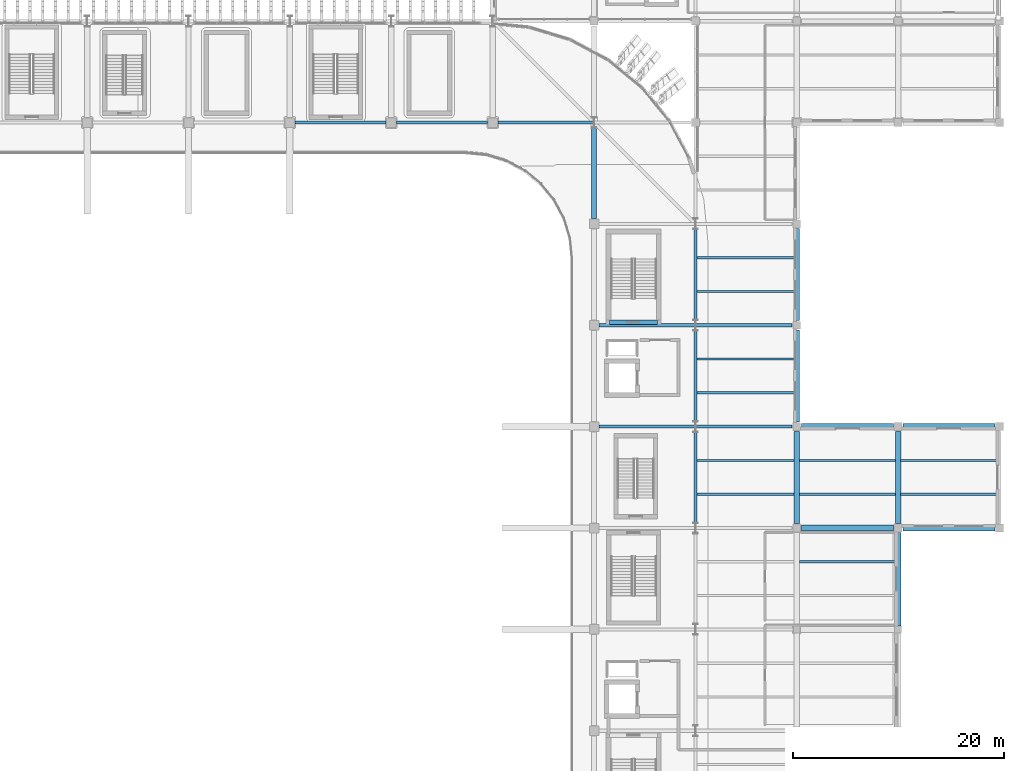
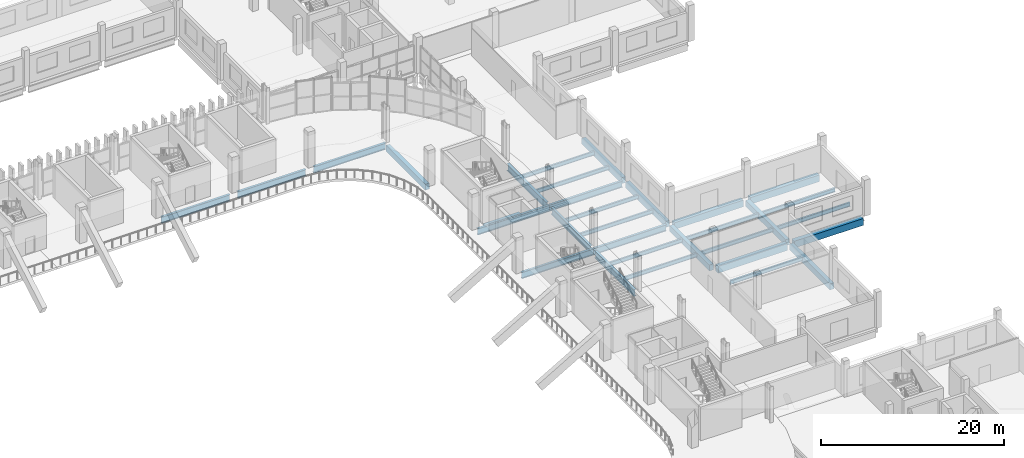
# One storey, part 33 of 100: 32 beams.
"""IFC4 building model written with IfcOpenShell, lengths in metres."""

from ifc_helpers import new_model, si_unit, direction, frame, origin, origin_2d, place, context, subcontext, project, spatial, rectangle, i_section, extrude, material, material_profile, profile_set, type_object, element, save


model = new_model("IFC4")

# Units and contexts
model_context = context("Model", 3, precision=1e-05, world=origin(), true_north=direction((0.0, 1.0)))
body_context = subcontext(model_context, "Body", "Model", "MODEL_VIEW")
ifc_project = project(units=[si_unit("LENGTHUNIT", "METRE"), si_unit("AREAUNIT", "SQUARE_METRE"), si_unit("VOLUMEUNIT", "CUBIC_METRE"), si_unit("PLANEANGLEUNIT", "RADIAN"), si_unit("MASSUNIT", "GRAM", prefix="KILO")], contexts=[model_context])

# Site, building, storey
site_placement = place(None, origin())
site = spatial("IfcSite", under=ifc_project, at=site_placement, CompositionType="ELEMENT")
building_placement = place(site_placement, origin())
building = spatial("IfcBuilding", under=site, at=building_placement, Name="Caelomonte Colonnade Arena", CompositionType="ELEMENT")
storey_placement = place(building_placement, origin())
storey = spatial("IfcBuildingStorey", under=building, at=storey_placement, Name="L00", CompositionType="ELEMENT", Elevation=0.0)

# Beams
ifc_material_1 = material(Name="Wide-flange steel ASTM A992 Grade 50", Category="steel")
ifc_material_profile_1 = material_profile(ifc_material_1, i_section(OverallWidth=0.307861328125, OverallDepth=0.927001953125, WebThickness=0.019287109375, FlangeThickness=0.031982421875, FilletRadius=0.020263671875, at=origin_2d()), Name="W36X194")
ifc_profile_set_1 = profile_set([ifc_material_profile_1], Name="Wide-flange steel ASTM A992 Grade 50")
beam_type_1 = type_object("IfcBeamType", Name="STR-BM-EAVES2", PredefinedType="SPANDREL", material=ifc_profile_set_1)
beam_1_placement = place(storey_placement, frame((163.199951171875, 67.712646484375, -0.763427734375), z_axis=(0.0, 1.0, 0.0), x_axis=(-1.0, 0.0, 0.0)))
element("IfcBeam", 1, at=beam_1_placement, inside=storey, type_object=beam_type_1, Name="L00 girder BMY-L00-1632-0672", PredefinedType="SPANDREL", context=body_context, shape_type="SweptSolid", body=[
    extrude(i_section(OverallWidth=0.307861328125, OverallDepth=0.927001953125, WebThickness=0.019287109375, FlangeThickness=0.031982421875, FilletRadius=0.020263671875, at=origin_2d()), origin(), (0.0, 0.0, 1.0), 8.57470703125),
])
beam_2_placement = place(storey_placement, frame((163.199951171875, 77.312744140625, -0.763427734375), z_axis=(0.0, 1.0, 0.0), x_axis=(-1.0, 0.0, 0.0)))
element("IfcBeam", 2, at=beam_2_placement, inside=storey, type_object=beam_type_1, Name="L00 girder BMY-L00-1632-0768", PredefinedType="SPANDREL", context=body_context, shape_type="SweptSolid", body=[
    extrude(i_section(OverallWidth=0.307861328125, OverallDepth=0.927001953125, WebThickness=0.019287109375, FlangeThickness=0.031982421875, FilletRadius=0.020263671875, at=origin_2d()), origin(), (0.0, 0.0, 1.0), 8.574462890625),
])
beam_3_placement = place(storey_placement, frame((163.199951171875, 86.91259765625, -0.763427734375), z_axis=(0.0, 1.0, 0.0), x_axis=(-1.0, 0.0, 0.0)))
element("IfcBeam", 3, at=beam_3_placement, inside=storey, type_object=beam_type_1, Name="L00 girder BMY-L00-1632-0864", PredefinedType="SPANDREL", context=body_context, shape_type="SweptSolid", body=[
    extrude(i_section(OverallWidth=0.307861328125, OverallDepth=0.927001953125, WebThickness=0.019287109375, FlangeThickness=0.031982421875, FilletRadius=0.020263671875, at=origin_2d()), origin(), (0.0, 0.0, 1.0), 8.57470703125),
])
ifc_material_profile_2 = material_profile(ifc_material_1, i_section(OverallWidth=0.2919921875, OverallDepth=0.845703125, WebThickness=0.015380859375, FlangeThickness=0.0244140625, FilletRadius=0.017822265625, at=origin_2d()), Name="W33X141")
ifc_profile_set_2 = profile_set([ifc_material_profile_2], Name="Wide-flange steel ASTM A992 Grade 50")
beam_type_2 = type_object("IfcBeamType", Name="STR-BM-GIRD33", PredefinedType="BEAM", material=ifc_profile_set_2)
beam_4_placement = place(storey_placement, frame((154.092041015625, 76.800048828125, -0.722900390625), z_axis=(1.0, 0.0, 0.0), x_axis=(0.0, 1.0, 0.0)))
element("IfcBeam", 4, at=beam_4_placement, inside=storey, type_object=beam_type_2, Name="L00 girder BMX-L00-1536-0768", PredefinedType="BEAM", context=body_context, shape_type="SweptSolid", body=[
    extrude(i_section(OverallWidth=0.2919921875, OverallDepth=0.845703125, WebThickness=0.015380859375, FlangeThickness=0.0244140625, FilletRadius=0.017822265625, at=origin_2d()), origin(), (0.0, 0.0, 1.0), 9.092529296875),
])
beam_5_placement = place(storey_placement, frame((163.215576171875, 76.800048828125, -0.722900390625), z_axis=(1.0, 0.0, 0.0), x_axis=(0.0, 1.0, 0.0)))
element("IfcBeam", 5, at=beam_5_placement, inside=storey, type_object=beam_type_2, Name="L00 girder BMX-L00-1632-0768", PredefinedType="BEAM", context=body_context, shape_type="SweptSolid", body=[
    extrude(i_section(OverallWidth=0.2919921875, OverallDepth=0.845703125, WebThickness=0.015380859375, FlangeThickness=0.0244140625, FilletRadius=0.017822265625, at=origin_2d()), origin(), (0.0, 0.0, 1.0), 9.142333984375),
])
beam_6_placement = place(storey_placement, frame((154.092041015625, 86.39990234375, -0.722900390625), z_axis=(1.0, 0.0, 0.0), x_axis=(0.0, 1.0, 0.0)))
element("IfcBeam", 6, at=beam_6_placement, inside=storey, type_object=beam_type_2, Name="L00 girder BMX-L00-1536-0864", PredefinedType="BEAM", context=body_context, shape_type="SweptSolid", body=[
    extrude(i_section(OverallWidth=0.2919921875, OverallDepth=0.845703125, WebThickness=0.015380859375, FlangeThickness=0.0244140625, FilletRadius=0.017822265625, at=origin_2d()), origin(), (0.0, 0.0, 1.0), 9.092529296875),
])
beam_7_placement = place(storey_placement, frame((163.215576171875, 86.39990234375, -0.722900390625), z_axis=(1.0, 0.0, 0.0), x_axis=(0.0, 1.0, 0.0)))
element("IfcBeam", 7, at=beam_7_placement, inside=storey, type_object=beam_type_2, Name="L00 girder BMX-L00-1632-0864", PredefinedType="BEAM", context=body_context, shape_type="SweptSolid", body=[
    extrude(i_section(OverallWidth=0.2919921875, OverallDepth=0.845703125, WebThickness=0.015380859375, FlangeThickness=0.0244140625, FilletRadius=0.017822265625, at=origin_2d()), origin(), (0.0, 0.0, 1.0), 9.142333984375),
])
for number, where, z_axis, x_axis, name in (
    (8, (125.2919921875, 105.60009765625, -0.722900390625), (1.0, 0.0, 0.0), (0.0, 1.0, 0.0), "L00 girder BMX-L00-1248-1056"),
    (9, (134.89208984375, 105.60009765625, -0.722900390625), (1.0, 0.0, 0.0), (0.0, 1.0, 0.0), "L00 girder BMX-L00-1344-1056"),
):
    element("IfcBeam", number, at=place(storey_placement, frame(where, z_axis=z_axis, x_axis=x_axis)), inside=storey, type_object=beam_type_2, Name=name, PredefinedType="BEAM", context=body_context, shape_type="SweptSolid", body=[
        extrude(i_section(OverallWidth=0.2919921875, OverallDepth=0.845703125, WebThickness=0.015380859375, FlangeThickness=0.0244140625, FilletRadius=0.017822265625, at=origin_2d()), origin(), (0.0, 0.0, 1.0), 8.615966796875),
    ])
beam_8_placement = place(storey_placement, frame((144.491943359375, 105.60009765625, -0.722900390625), z_axis=(1.0, 0.0, 0.0), x_axis=(0.0, 1.0, 0.0)))
element("IfcBeam", 10, at=beam_8_placement, inside=storey, type_object=beam_type_2, Name="L00 girder BMX-L00-1440-1056", PredefinedType="BEAM", context=body_context, shape_type="SweptSolid", body=[
    extrude(i_section(OverallWidth=0.2919921875, OverallDepth=0.845703125, WebThickness=0.015380859375, FlangeThickness=0.0244140625, FilletRadius=0.017822265625, at=origin_2d()), origin(), (0.0, 0.0, 1.0), 9.092529296875),
])
ifc_material_profile_3 = material_profile(ifc_material_1, i_section(OverallWidth=0.209228515625, OverallDepth=0.533447265625, WebThickness=0.01025390625, FlangeThickness=0.015625, FilletRadius=0.0126953125, at=origin_2d()), Name="W21X62")
ifc_profile_set_3 = profile_set([ifc_material_profile_3], Name="Wide-flange steel ASTM A992 Grade 50")
beam_type_3 = type_object("IfcBeamType", Name="STR-BM-JOIST21", PredefinedType="JOIST", material=ifc_profile_set_3)
for number, where, z_axis, x_axis, name in (
    (11, (163.348876953125, 70.39990234375, -0.566650390625), (1.0, 0.0, 0.0), (0.0, 1.0, 0.0), "L00 secondary joist 1"),
    (12, (163.348876953125, 73.60009765625, -0.566650390625), (1.0, 0.0, 0.0), (0.0, 1.0, 0.0), "L00 secondary joist 2"),
    (13, (163.348876953125, 80.0, -0.566650390625), (1.0, 0.0, 0.0), (0.0, 1.0, 0.0), "L00 secondary joist 1"),
    (14, (163.348876953125, 83.199951171875, -0.566650390625), (1.0, 0.0, 0.0), (0.0, 1.0, 0.0), "L00 secondary joist 2"),
    (15, (163.348876953125, 89.60009765625, -0.566650390625), (1.0, 0.0, 0.0), (0.0, 1.0, 0.0), "L00 secondary joist 1"),
    (16, (163.348876953125, 92.800048828125, -0.566650390625), (1.0, 0.0, 0.0), (0.0, 1.0, 0.0), "L00 secondary joist 2"),
):
    element("IfcBeam", number, at=place(storey_placement, frame(where, z_axis=z_axis, x_axis=x_axis)), inside=storey, type_object=beam_type_3, Name=name, PredefinedType="JOIST", context=body_context, shape_type="SweptSolid", body=[
        extrude(i_section(OverallWidth=0.209228515625, OverallDepth=0.533447265625, WebThickness=0.01025390625, FlangeThickness=0.015625, FilletRadius=0.0126953125, at=origin_2d()), origin(), (0.0, 0.0, 1.0), 9.2060546875),
    ])
for number, where, z_axis, x_axis, name in (
    (17, (173.044921875, 64.0, -0.566650390625), (1.0, 0.0, 0.0), (0.0, 1.0, 0.0), "L00 secondary joist 2"),
    (18, (173.044921875, 70.39990234375, -0.566650390625), (1.0, 0.0, 0.0), (0.0, 1.0, 0.0), "L00 secondary joist 1"),
    (19, (173.044921875, 73.60009765625, -0.566650390625), (1.0, 0.0, 0.0), (0.0, 1.0, 0.0), "L00 secondary joist 2"),
):
    element("IfcBeam", number, at=place(storey_placement, frame(where, z_axis=z_axis, x_axis=x_axis)), inside=storey, type_object=beam_type_3, Name=name, PredefinedType="JOIST", context=body_context, shape_type="SweptSolid", body=[
        extrude(i_section(OverallWidth=0.209228515625, OverallDepth=0.533447265625, WebThickness=0.01025390625, FlangeThickness=0.015625, FilletRadius=0.0126953125, at=origin_2d()), origin(), (0.0, 0.0, 1.0), 9.110107421875),
    ])
for number, where, z_axis, x_axis, name in (
    (20, (182.64501953125, 70.39990234375, -0.566650390625), (1.0, 0.0, 0.0), (0.0, 1.0, 0.0), "L00 secondary joist 1"),
    (21, (182.64501953125, 73.60009765625, -0.566650390625), (1.0, 0.0, 0.0), (0.0, 1.0, 0.0), "L00 secondary joist 2"),
):
    element("IfcBeam", number, at=place(storey_placement, frame(where, z_axis=z_axis, x_axis=x_axis)), inside=storey, type_object=beam_type_3, Name=name, PredefinedType="JOIST", context=body_context, shape_type="SweptSolid", body=[
        extrude(i_section(OverallWidth=0.209228515625, OverallDepth=0.533447265625, WebThickness=0.01025390625, FlangeThickness=0.015625, FilletRadius=0.0126953125, at=origin_2d()), origin(), (0.0, 0.0, 1.0), 9.2060546875),
    ])
ifc_material_2 = material(Name="Concrete C40/50", Category="concrete")
ifc_material_profile_4 = material_profile(ifc_material_2, rectangle(XDim=0.39990234375, YDim=0.64990234375, at=origin_2d()), Name="RC400X650")
ifc_profile_set_4 = profile_set([ifc_material_profile_4], Name="Concrete C40/50")
beam_type_4 = type_object("IfcBeamType", Name="STR-BM-LINT40", PredefinedType="LINTEL", material=ifc_profile_set_4)
beam_9_placement = place(storey_placement, frame((155.074951171875, 86.675048828125, -0.625), z_axis=(1.0, 0.0, 0.0), x_axis=(0.0, 1.0, 0.0)))
element("IfcBeam", 22, at=beam_9_placement, inside=storey, type_object=beam_type_4, Name="Core C3 L00 coupling lintel beam", PredefinedType="LINTEL", context=body_context, shape_type="SweptSolid", body=[
    extrude(rectangle(XDim=0.39990234375, YDim=0.64990234375, at=origin_2d()), origin(), (0.0, 0.0, 1.0), 4.550048828125),
])
ifc_material_profile_5 = material_profile(ifc_material_2, rectangle(XDim=0.5, YDim=0.800048828125, at=origin_2d()), Name="RC500X800")
ifc_profile_set_5 = profile_set([ifc_material_profile_5], Name="Concrete C40/50")
beam_type_5 = type_object("IfcBeamType", Name="STR-BM-RC50", PredefinedType="BEAM", material=ifc_profile_set_5)
beam_10_placement = place(storey_placement, frame((153.60009765625, 96.491943359375, -0.699951171875), z_axis=(0.0, 1.0, 0.0), x_axis=(-1.0, 0.0, 0.0)))
element("IfcBeam", 23, at=beam_10_placement, inside=storey, type_object=beam_type_5, Name="L00 girder BMY-L00-1536-0960", PredefinedType="BEAM", context=body_context, shape_type="SweptSolid", body=[
    extrude(rectangle(XDim=0.5, YDim=0.800048828125, at=origin_2d()), origin(), (0.0, 0.0, 1.0), 8.595458984375),
])
beam_11_placement = place(storey_placement, frame((172.800048828125, 67.64208984375, -0.699951171875), z_axis=(0.0, 1.0, 0.0), x_axis=(-1.0, 0.0, 0.0)))
element("IfcBeam", 24, at=beam_11_placement, inside=storey, type_object=beam_type_5, Name="L00 girder BMY-L00-1728-0672", PredefinedType="BEAM", context=body_context, shape_type="SweptSolid", body=[
    extrude(rectangle(XDim=0.5, YDim=0.800048828125, at=origin_2d()), origin(), (0.0, 0.0, 1.0), 8.7158203125),
])
for number, where, z_axis, x_axis, name in (
    (25, (172.800048828125, 77.241943359375, -0.699951171875), (0.0, 1.0, 0.0), (-1.0, 0.0, 0.0), "L00 girder BMY-L00-1728-0768"),
    (26, (172.800048828125, 86.842041015625, -0.699951171875), (0.0, 1.0, 0.0), (-1.0, 0.0, 0.0), "L00 girder BMY-L00-1728-0864"),
):
    element("IfcBeam", number, at=place(storey_placement, frame(where, z_axis=z_axis, x_axis=x_axis)), inside=storey, type_object=beam_type_5, Name=name, PredefinedType="BEAM", context=body_context, shape_type="SweptSolid", body=[
        extrude(rectangle(XDim=0.5, YDim=0.800048828125, at=origin_2d()), origin(), (0.0, 0.0, 1.0), 8.716064453125),
    ])
beam_12_placement = place(storey_placement, frame((182.39990234375, 57.94189453125, -0.699951171875), z_axis=(0.0, 1.0, 0.0), x_axis=(-1.0, 0.0, 0.0)))
element("IfcBeam", 27, at=beam_12_placement, inside=storey, type_object=beam_type_5, Name="L00 girder BMY-L00-1824-0576", PredefinedType="BEAM", context=body_context, shape_type="SweptSolid", body=[
    extrude(rectangle(XDim=0.5, YDim=0.800048828125, at=origin_2d()), origin(), (0.0, 0.0, 1.0), 8.816162109375),
])
beam_13_placement = place(storey_placement, frame((182.39990234375, 67.64208984375, -0.699951171875), z_axis=(0.0, 1.0, 0.0), x_axis=(-1.0, 0.0, 0.0)))
element("IfcBeam", 28, at=beam_13_placement, inside=storey, type_object=beam_type_5, Name="L00 girder BMY-L00-1824-0672", PredefinedType="BEAM", context=body_context, shape_type="SweptSolid", body=[
    extrude(rectangle(XDim=0.5, YDim=0.800048828125, at=origin_2d()), origin(), (0.0, 0.0, 1.0), 8.7158203125),
])
ifc_material_profile_6 = material_profile(ifc_material_2, rectangle(XDim=0.550048828125, YDim=0.89990234375, at=origin_2d()), Name="RC550X900")
ifc_profile_set_6 = profile_set([ifc_material_profile_6], Name="Concrete C40/50")
beam_type_6 = type_object("IfcBeamType", Name="STR-BM-RC55", PredefinedType="BEAM", material=ifc_profile_set_6)
for number, where, z_axis, x_axis, name in (
    (29, (173.241943359375, 67.199951171875, -0.75), (1.0, 0.0, 0.0), (0.0, 1.0, 0.0), "L00 girder BMX-L00-1728-0672"),
    (30, (182.842041015625, 67.199951171875, -0.75), (1.0, 0.0, 0.0), (0.0, 1.0, 0.0), "L00 girder BMX-L00-1824-0672"),
    (31, (173.241943359375, 76.800048828125, -0.75), (1.0, 0.0, 0.0), (0.0, 1.0, 0.0), "L00 girder BMX-L00-1728-0768"),
    (32, (182.842041015625, 76.800048828125, -0.75), (1.0, 0.0, 0.0), (0.0, 1.0, 0.0), "L00 girder BMX-L00-1824-0768"),
):
    element("IfcBeam", number, at=place(storey_placement, frame(where, z_axis=z_axis, x_axis=x_axis)), inside=storey, type_object=beam_type_6, Name=name, PredefinedType="BEAM", context=body_context, shape_type="SweptSolid", body=[
        extrude(rectangle(XDim=0.550048828125, YDim=0.89990234375, at=origin_2d()), origin(), (0.0, 0.0, 1.0), 8.716064453125),
    ])

save(model, "model.ifc")
